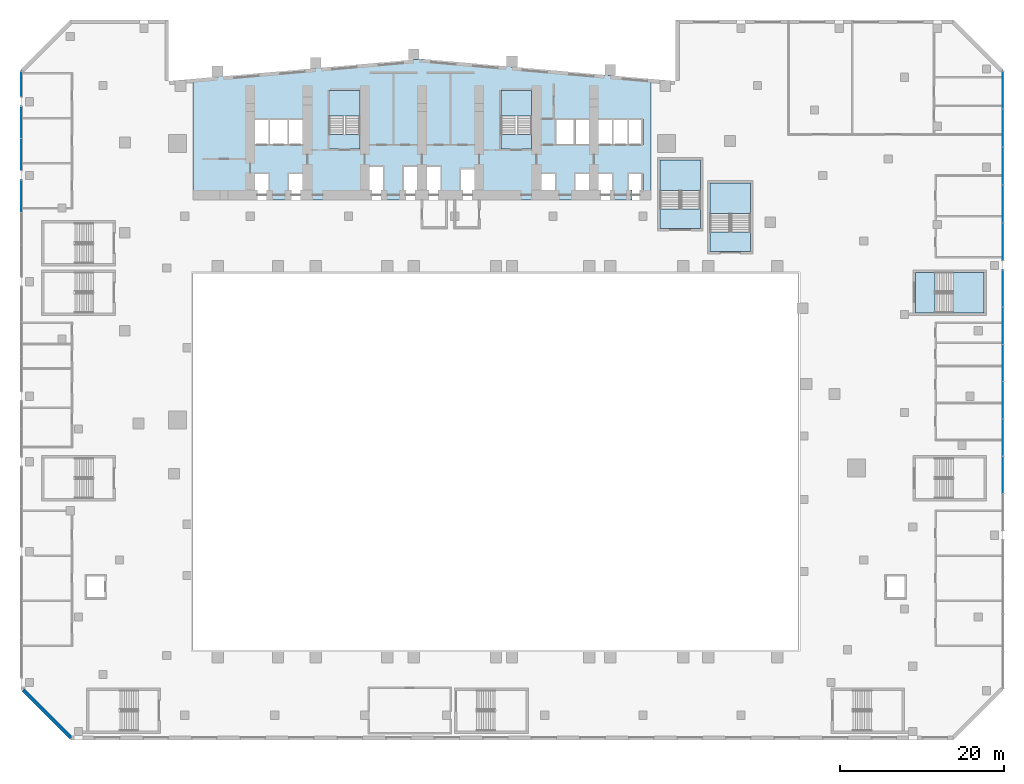
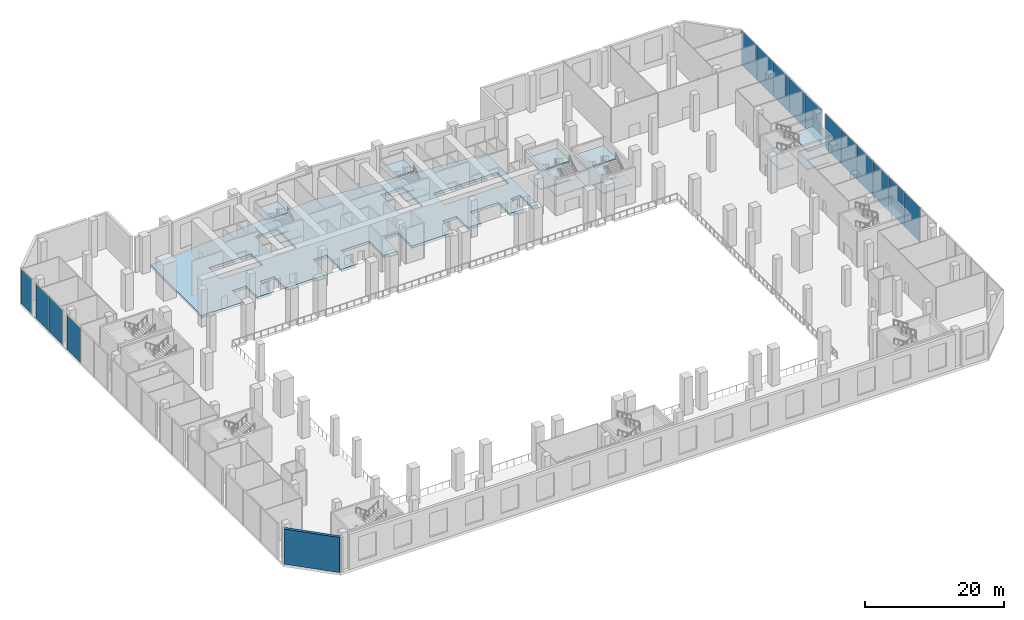
# One storey, part 9 of 30: 16 slabs, 15 plates, 1 wall, 10 elements without a shape of their own.
"""IFC4 building model written with IfcOpenShell, lengths in metres."""

from ifc_helpers import new_model, si_unit, direction, frame, frame_2d, origin, origin_2d, place, context, subcontext, project, spatial, polyline, rectangle, outline, extrude, material, layer, layer_set, type_object, element, aggregate, save


model = new_model("IFC4")

# Units and contexts
model_context = context("Model", 3, precision=1e-05, world=origin(), true_north=direction((0.0, 1.0)))
body_context = subcontext(model_context, "Body", "Model", "MODEL_VIEW")
ifc_project = project(units=[si_unit("LENGTHUNIT", "METRE"), si_unit("AREAUNIT", "SQUARE_METRE"), si_unit("VOLUMEUNIT", "CUBIC_METRE"), si_unit("PLANEANGLEUNIT", "RADIAN"), si_unit("MASSUNIT", "GRAM", prefix="KILO")], contexts=[model_context])

# Site, building, storey
site_placement = place(None, origin())
site = spatial("IfcSite", under=ifc_project, at=site_placement, CompositionType="ELEMENT")
building_placement = place(site_placement, origin())
building = spatial("IfcBuilding", under=site, at=building_placement, Name="Wharfspan Tower", CompositionType="ELEMENT")
storey_placement = place(building_placement, frame((0.0, 0.0, 15.0)))
storey = spatial("IfcBuildingStorey", under=building, at=storey_placement, Name="L02", CompositionType="ELEMENT", Elevation=15.0)

# Curtain wall, plates
ifc_material_1 = material(Name="Aluminium 6063-T6", Category="aluminium")
curtain_wall_type = type_object("IfcCurtainWallType", Name="CURTAIN WALL ARENA STICK WALL", PredefinedType="NOTDEFINED", material=ifc_material_1)
curtain_wall_1_placement = place(storey_placement, origin())
curtain_wall_1 = element("IfcCurtainWall", 1, at=curtain_wall_1_placement, inside=storey, type_object=curtain_wall_type, Name="Concourse stick wall PF3.2", PredefinedType="NOTDEFINED")
ifc_material_2 = material(Name="Glass clear laminated double glazing", Category="glass")
ifc_layer_1 = layer(ifc_material_2, 0.040039)
ifc_layer_set_1 = layer_set([ifc_layer_1], Name="Glass clear laminated double glazing")
plate_type = type_object("IfcPlateType", Name="GLASS PANEL ARENA STICK WALL 40", PredefinedType="CURTAIN_PANEL", material=ifc_layer_set_1)
plate_1_placement = place(storey_placement, frame((108.0, 0.385742, 0.0), z_axis=(0.0, 0.0, 1.0), x_axis=(0.0, 1.0, 0.0)))
plate_1 = element("IfcPlate", 2, at=plate_1_placement, type_object=plate_type, Name="Concourse stick wall PF3.2 panel 2", PredefinedType="CURTAIN_PANEL", context=body_context, shape_type="SweptSolid", body=[
    extrude(rectangle(XDim=4.487061, YDim=0.040039, at=origin_2d()), origin(), (0.0, 0.0, 1.0), 6.110107),
])
plate_2_placement = place(storey_placement, frame((108.0, 4.942871, 0.0), z_axis=(0.0, 0.0, 1.0), x_axis=(0.0, 1.0, 0.0)))
plate_2 = element("IfcPlate", 3, at=plate_2_placement, type_object=plate_type, Name="Concourse stick wall PF3.2 panel 3", PredefinedType="CURTAIN_PANEL", context=body_context, shape_type="SweptSolid", body=[
    extrude(rectangle(XDim=4.487061, YDim=0.040039, at=origin_2d()), origin(), (0.0, 0.0, 1.0), 6.110107),
])
plate_3_placement = place(storey_placement, frame((108.0, 9.5, 0.0), z_axis=(0.0, 0.0, 1.0), x_axis=(0.0, 1.0, 0.0)))
plate_3 = element("IfcPlate", 4, at=plate_3_placement, type_object=plate_type, Name="Concourse stick wall PF3.2 panel 4", PredefinedType="CURTAIN_PANEL", context=body_context, shape_type="SweptSolid", body=[
    extrude(rectangle(XDim=4.487061, YDim=0.040039, at=origin_2d()), origin(), (0.0, 0.0, 1.0), 6.110107),
])
plate_4_placement = place(storey_placement, frame((108.0, 14.057129, 0.0), z_axis=(0.0, 0.0, 1.0), x_axis=(0.0, 1.0, 0.0)))
plate_4 = element("IfcPlate", 5, at=plate_4_placement, type_object=plate_type, Name="Concourse stick wall PF3.2 panel 5", PredefinedType="CURTAIN_PANEL", context=body_context, shape_type="SweptSolid", body=[
    extrude(rectangle(XDim=4.487061, YDim=0.040039, at=origin_2d()), origin(), (0.0, 0.0, 1.0), 6.110107),
])
plate_5_placement = place(storey_placement, frame((108.0, 18.614258, 0.0), z_axis=(0.0, 0.0, 1.0), x_axis=(0.0, 1.0, 0.0)))
plate_5 = element("IfcPlate", 6, at=plate_5_placement, type_object=plate_type, Name="Concourse stick wall PF3.2 panel 6", PredefinedType="CURTAIN_PANEL", context=body_context, shape_type="SweptSolid", body=[
    extrude(rectangle(XDim=4.487061, YDim=0.040039, at=origin_2d()), origin(), (0.0, 0.0, 1.0), 6.110107),
])
plate_6_placement = place(storey_placement, frame((108.0, 23.153809, 0.0), z_axis=(0.0, 0.0, 1.0), x_axis=(0.0, 1.0, 0.0)))
plate_6 = element("IfcPlate", 7, at=plate_6_placement, type_object=plate_type, Name="Concourse stick wall PF3.2 panel 7", PredefinedType="CURTAIN_PANEL", context=body_context, shape_type="SweptSolid", body=[
    extrude(rectangle(XDim=4.452148, YDim=0.040039, at=origin_2d()), origin(), (0.0, 0.0, 1.0), 6.110107),
])
aggregate(curtain_wall_1, [plate_1, plate_2, plate_3, plate_4, plate_5, plate_6])

curtain_wall_2_placement = place(storey_placement, origin())
curtain_wall_2 = element("IfcCurtainWall", 8, at=curtain_wall_2_placement, inside=storey, type_object=curtain_wall_type, Name="Concourse stick wall PF3.3", PredefinedType="NOTDEFINED")
plate_7_placement = place(storey_placement, frame((108.0, 28.887451, 0.0), z_axis=(0.0, 0.0, 1.0), x_axis=(0.0, 1.0, 0.0)))
plate_7 = element("IfcPlate", 9, at=plate_7_placement, type_object=plate_type, Name="Concourse stick wall PF3.3 panel 1", PredefinedType="CURTAIN_PANEL", context=body_context, shape_type="SweptSolid", body=[
    extrude(rectangle(XDim=4.534912, YDim=0.040039, at=origin_2d()), origin(), (0.0, 0.0, 1.0), 6.110107),
])
plate_8_placement = place(storey_placement, frame((108.0, 33.51001, 0.0), z_axis=(0.0, 0.0, 1.0), x_axis=(0.0, 1.0, 0.0)))
plate_8 = element("IfcPlate", 10, at=plate_8_placement, type_object=plate_type, Name="Concourse stick wall PF3.3 panel 2", PredefinedType="CURTAIN_PANEL", context=body_context, shape_type="SweptSolid", body=[
    extrude(rectangle(XDim=4.570068, YDim=0.040039, at=origin_2d()), origin(), (0.0, 0.0, 1.0), 6.110107),
])
plate_9_placement = place(storey_placement, frame((108.0, 38.149902, 0.0), z_axis=(0.0, 0.0, 1.0), x_axis=(0.0, 1.0, 0.0)))
plate_9 = element("IfcPlate", 11, at=plate_9_placement, type_object=plate_type, Name="Concourse stick wall PF3.3 panel 3", PredefinedType="CURTAIN_PANEL", context=body_context, shape_type="SweptSolid", body=[
    extrude(rectangle(XDim=4.570068, YDim=0.040039, at=origin_2d()), origin(), (0.0, 0.0, 1.0), 6.110107),
])
plate_10_placement = place(storey_placement, frame((108.0, 42.790039, 0.0), z_axis=(0.0, 0.0, 1.0), x_axis=(0.0, 1.0, 0.0)))
plate_10 = element("IfcPlate", 12, at=plate_10_placement, type_object=plate_type, Name="Concourse stick wall PF3.3 panel 4", PredefinedType="CURTAIN_PANEL", context=body_context, shape_type="SweptSolid", body=[
    extrude(rectangle(XDim=4.570068, YDim=0.040039, at=origin_2d()), origin(), (0.0, 0.0, 1.0), 6.110107),
])
plate_11_placement = place(storey_placement, frame((108.0, 47.412598, 0.0), z_axis=(0.0, 0.0, 1.0), x_axis=(0.0, 1.0, 0.0)))
plate_11 = element("IfcPlate", 13, at=plate_11_placement, type_object=plate_type, Name="Concourse stick wall PF3.3 panel 5", PredefinedType="CURTAIN_PANEL", context=body_context, shape_type="SweptSolid", body=[
    extrude(rectangle(XDim=4.534912, YDim=0.040039, at=origin_2d()), origin(), (0.0, 0.0, 1.0), 6.110107),
])
aggregate(curtain_wall_2, [plate_7, plate_8, plate_9, plate_10, plate_11])

# Curtain wall, plate
curtain_wall_3_placement = place(storey_placement, origin())
curtain_wall_3 = element("IfcCurtainWall", 14, at=curtain_wall_3_placement, inside=storey, type_object=curtain_wall_type, Name="Concourse stick wall PF12.1", PredefinedType="NOTDEFINED")
plate_12_placement = place(storey_placement, frame((-12.0, 48.149902, 0.0), z_axis=(0.0, 0.0, 1.0), x_axis=(0.0, -1.0, 0.0)))
plate_12 = element("IfcPlate", 15, at=plate_12_placement, type_object=plate_type, Name="Concourse stick wall PF12.1 panel 1", PredefinedType="CURTAIN_PANEL", context=body_context, shape_type="SweptSolid", body=[
    extrude(rectangle(XDim=3.060059, YDim=0.040039, at=origin_2d()), origin(), (0.0, 0.0, 1.0), 6.110107),
])
aggregate(curtain_wall_3, [plate_12])

# Curtain wall, plates
curtain_wall_4_placement = place(storey_placement, origin())
curtain_wall_4 = element("IfcCurtainWall", 16, at=curtain_wall_4_placement, inside=storey, type_object=curtain_wall_type, Name="Concourse stick wall PF12.2", PredefinedType="NOTDEFINED")
plate_13_placement = place(storey_placement, frame((-12.0, 43.45752, 0.0), z_axis=(0.0, 0.0, 1.0), x_axis=(0.0, -1.0, 0.0)))
plate_13 = element("IfcPlate", 17, at=plate_13_placement, type_object=plate_type, Name="Concourse stick wall PF12.2 panel 1", PredefinedType="CURTAIN_PANEL", context=body_context, shape_type="SweptSolid", body=[
    extrude(rectangle(XDim=3.844971, YDim=0.040039, at=origin_2d()), origin(), (0.0, 0.0, 1.0), 6.110107),
])
plate_14_placement = place(storey_placement, frame((-12.0, 39.54248, 0.0), z_axis=(0.0, 0.0, 1.0), x_axis=(0.0, -1.0, 0.0)))
plate_14 = element("IfcPlate", 18, at=plate_14_placement, type_object=plate_type, Name="Concourse stick wall PF12.2 panel 2", PredefinedType="CURTAIN_PANEL", context=body_context, shape_type="SweptSolid", body=[
    extrude(rectangle(XDim=3.844971, YDim=0.040039, at=origin_2d()), origin(), (0.0, 0.0, 1.0), 6.110107),
])
aggregate(curtain_wall_4, [plate_13, plate_14])

# Curtain wall, plate
curtain_wall_5_placement = place(storey_placement, origin())
curtain_wall_5 = element("IfcCurtainWall", 19, at=curtain_wall_5_placement, inside=storey, type_object=curtain_wall_type, Name="Concourse stick wall PF12.3", PredefinedType="NOTDEFINED")
plate_15_placement = place(storey_placement, frame((-12.0, 34.449219, 0.0), z_axis=(0.0, 0.0, 1.0), x_axis=(0.0, -1.0, 0.0)))
plate_15 = element("IfcPlate", 20, at=plate_15_placement, type_object=plate_type, Name="Concourse stick wall PF12.3 panel 1", PredefinedType="CURTAIN_PANEL", context=body_context, shape_type="SweptSolid", body=[
    extrude(rectangle(XDim=3.861572, YDim=0.040039, at=origin_2d()), origin(), (0.0, 0.0, 1.0), 6.110107),
])
aggregate(curtain_wall_5, [plate_15])

# Slab
ifc_material_3 = material(Name="Concrete C35/45", Category="concrete")
ifc_layer_2 = layer(ifc_material_3, 0.449951)
ifc_layer_set_2 = layer_set([ifc_layer_2], Name="Concrete C35/45")
slab_type_1 = type_object("IfcSlabType", Name="Podium deck 450", PredefinedType="FLOOR", material=ifc_layer_set_2)
slab_1_placement = place(storey_placement, frame((0.0, 0.0, -0.450195)))
element("IfcSlab", 21, at=slab_1_placement, inside=storey, type_object=slab_type_1, Name="Core floor L02", PredefinedType="FLOOR", context=body_context, shape_type="SweptSolid", body=[
    extrude(outline(polyline([(65.0, 48.787354), (65.0, 34.0), (64.01001, 34.0), (64.01001, 37.26001), (62.656738, 37.26001), (62.656738, 37.159912), (62.290039, 37.159912), (62.290039, 35.189941), (62.656738, 35.189941), (62.656738, 34.0), (60.343262, 34.0), (60.343262, 37.26001), (55.656738, 37.26001), (55.656738, 34.0), (53.343262, 34.0), (53.343262, 37.26001), (50.98999, 37.26001), (50.98999, 34.0), (44.01001, 34.0), (44.01001, 37.860107), (41.656738, 37.860107), (41.656738, 34.0), (39.343262, 34.0), (39.343262, 38.159912), (34.656738, 38.159912), (34.656738, 34.0), (32.343262, 34.0), (32.343262, 38.159912), (29.98999, 38.159912), (29.98999, 34.0), (23.01001, 34.0), (23.01001, 37.26001), (20.656738, 37.26001), (20.656738, 34.0), (18.343262, 34.0), (18.343262, 37.26001), (15.98999, 37.26001), (15.98999, 34.0), (9.0, 34.0), (9.0, 48.787354), (37.0, 51.237061), (65.0, 48.787354)]), holes=[polyline([(53.323242, 43.909912), (53.323242, 40.689941), (64.01001, 40.689941), (64.01001, 43.909912), (53.323242, 43.909912)]), polyline([(50.409912, 41.98999), (50.409912, 47.409912), (46.639893, 47.409912), (46.639893, 41.98999), (50.409912, 41.98999)]), polyline([(29.409912, 41.98999), (29.409912, 47.409912), (25.639893, 47.409912), (25.639893, 41.98999), (29.409912, 41.98999)]), polyline([(20.676758, 40.689941), (23.01001, 40.689941), (23.01001, 43.909912), (20.676758, 43.909912), (20.656738, 43.909912), (15.98999, 43.909912), (15.98999, 40.689941), (20.656738, 40.689941), (20.676758, 40.689941)])]), origin(), (0.0, 0.0, 1.0), 0.450195),
])

# Stair, slabs
ifc_material_4 = material(Name="Concrete C40/50", Category="concrete")
stair_type_1 = type_object("IfcStairType", Name="Half-turn stair 2400 wide 36 risers 181 mm", PredefinedType="HALF_TURN_STAIR", material=ifc_material_4)
stair_1_placement = place(storey_placement, origin())
stair_1 = element("IfcStair", 22, at=stair_1_placement, inside=storey, type_object=stair_type_1, Name="L02 stair AS4", PredefinedType="HALF_TURN_STAIR")
ifc_layer_3 = layer(ifc_material_4, 0.199951)
ifc_layer_set_3 = layer_set([ifc_layer_3], Name="Concrete C40/50")
slab_type_2 = type_object("IfcSlabType", Name="Podium stair landing 200", PredefinedType="LANDING", material=ifc_layer_set_3)
slab_2_placement = place(storey_placement, frame((0.0, 0.0, 1.424805)))
slab_2 = element("IfcSlab", 23, at=slab_2_placement, type_object=slab_type_2, Name="AS4 landing 1", PredefinedType="LANDING", context=body_context, shape_type="SweptSolid", body=[
    extrude(outline(polyline([(101.939941, 20.199951), (105.699951, 20.199951), (105.699951, 25.149902), (101.939941, 25.149902), (101.939941, 20.199951)])), origin(), (0.0, 0.0, 1.0), 0.200195),
])
slab_3_placement = place(storey_placement, frame((0.0, 0.0, 3.049805)))
slab_3 = element("IfcSlab", 24, at=slab_3_placement, type_object=slab_type_2, Name="AS4 landing 2", PredefinedType="LANDING", context=body_context, shape_type="SweptSolid", body=[
    extrude(outline(polyline([(97.300049, 20.199951), (99.699951, 20.199951), (99.699951, 25.149902), (97.300049, 25.149902), (97.300049, 20.199951)])), origin(), (0.0, 0.0, 1.0), 0.200195),
])
slab_4_placement = place(storey_placement, frame((0.0, 0.0, 4.674805)))
slab_4 = element("IfcSlab", 25, at=slab_4_placement, type_object=slab_type_2, Name="AS4 landing 3", PredefinedType="LANDING", context=body_context, shape_type="SweptSolid", body=[
    extrude(outline(polyline([(101.939941, 20.199951), (105.699951, 20.199951), (105.699951, 25.149902), (101.939941, 25.149902), (101.939941, 20.199951)])), origin(), (0.0, 0.0, 1.0), 0.200195),
])
aggregate(stair_1, [slab_2, slab_3, slab_4])

stair_2_placement = place(storey_placement, origin())
stair_2 = element("IfcStair", 26, at=stair_2_placement, inside=storey, type_object=stair_type_1, Name="L02 stair PS4", PredefinedType="HALF_TURN_STAIR")
slab_5_placement = place(storey_placement, frame((0.0, 0.0, 1.424805)))
slab_5 = element("IfcSlab", 27, at=slab_5_placement, type_object=slab_type_2, Name="PS4 landing 1", PredefinedType="LANDING", context=body_context, shape_type="SweptSolid", body=[
    extrude(outline(polyline([(71.050049, 35.139893), (71.050049, 38.899902), (66.100098, 38.899902), (66.100098, 35.139893), (71.050049, 35.139893)])), origin(), (0.0, 0.0, 1.0), 0.200195),
])
slab_6_placement = place(storey_placement, frame((0.0, 0.0, 3.049805)))
slab_6 = element("IfcSlab", 28, at=slab_6_placement, type_object=slab_type_2, Name="PS4 landing 2", PredefinedType="LANDING", context=body_context, shape_type="SweptSolid", body=[
    extrude(outline(polyline([(71.050049, 30.5), (71.050049, 32.899902), (66.100098, 32.899902), (66.100098, 30.5), (71.050049, 30.5)])), origin(), (0.0, 0.0, 1.0), 0.200195),
])
slab_7_placement = place(storey_placement, frame((0.0, 0.0, 4.674805)))
slab_7 = element("IfcSlab", 29, at=slab_7_placement, type_object=slab_type_2, Name="PS4 landing 3", PredefinedType="LANDING", context=body_context, shape_type="SweptSolid", body=[
    extrude(outline(polyline([(71.050049, 35.139893), (71.050049, 38.899902), (66.100098, 38.899902), (66.100098, 35.139893), (71.050049, 35.139893)])), origin(), (0.0, 0.0, 1.0), 0.200195),
])
aggregate(stair_2, [slab_5, slab_6, slab_7])

stair_3_placement = place(storey_placement, origin())
stair_3 = element("IfcStair", 30, at=stair_3_placement, inside=storey, type_object=stair_type_1, Name="L02 stair PS5", PredefinedType="HALF_TURN_STAIR")
slab_8_placement = place(storey_placement, frame((0.0, 0.0, 1.424805)))
slab_8 = element("IfcSlab", 31, at=slab_8_placement, type_object=slab_type_2, Name="PS5 landing 1", PredefinedType="LANDING", context=body_context, shape_type="SweptSolid", body=[
    extrude(outline(polyline([(77.16748, 32.340088), (77.16748, 36.100098), (72.217529, 36.100098), (72.217529, 32.340088), (77.16748, 32.340088)])), origin(), (0.0, 0.0, 1.0), 0.200195),
])
slab_9_placement = place(storey_placement, frame((0.0, 0.0, 3.049805)))
slab_9 = element("IfcSlab", 32, at=slab_9_placement, type_object=slab_type_2, Name="PS5 landing 2", PredefinedType="LANDING", context=body_context, shape_type="SweptSolid", body=[
    extrude(outline(polyline([(77.16748, 27.699951), (77.16748, 30.100098), (72.217529, 30.100098), (72.217529, 27.699951), (77.16748, 27.699951)])), origin(), (0.0, 0.0, 1.0), 0.200195),
])
slab_10_placement = place(storey_placement, frame((0.0, 0.0, 4.674805)))
slab_10 = element("IfcSlab", 33, at=slab_10_placement, type_object=slab_type_2, Name="PS5 landing 3", PredefinedType="LANDING", context=body_context, shape_type="SweptSolid", body=[
    extrude(outline(polyline([(77.16748, 32.340088), (77.16748, 36.100098), (72.217529, 36.100098), (72.217529, 32.340088), (77.16748, 32.340088)])), origin(), (0.0, 0.0, 1.0), 0.200195),
])
aggregate(stair_3, [slab_8, slab_9, slab_10])

stair_type_2 = type_object("IfcStairType", Name="Half-turn stair 36 risers 181 mm", PredefinedType="HALF_TURN_STAIR", material=ifc_material_4)
stair_4_placement = place(storey_placement, origin())
stair_4 = element("IfcStair", 34, at=stair_4_placement, inside=storey, type_object=stair_type_2, Name="L02 stair ST1", PredefinedType="HALF_TURN_STAIR")
ifc_layer_4 = layer(ifc_material_4, 0.199951)
ifc_layer_set_4 = layer_set([ifc_layer_4], Name="Concrete C40/50")
slab_type_3 = type_object("IfcSlabType", Name="Stair landing 200", PredefinedType="LANDING", material=ifc_layer_set_4)
slab_11_placement = place(storey_placement, frame((0.0, 0.0, 1.424805)))
slab_11 = element("IfcSlab", 35, at=slab_11_placement, type_object=slab_type_3, Name="ST1 landing 1", PredefinedType="LANDING", context=body_context, shape_type="SweptSolid", body=[
    extrude(outline(polyline([(29.399902, 44.23999), (29.399902, 47.399902), (25.649902, 47.399902), (25.649902, 44.23999), (29.399902, 44.23999)])), origin(), (0.0, 0.0, 1.0), 0.200195),
])
slab_12_placement = place(storey_placement, frame((0.0, 0.0, 3.049805)))
slab_12 = element("IfcSlab", 36, at=slab_12_placement, type_object=slab_type_3, Name="ST1 landing 2", PredefinedType="LANDING", context=body_context, shape_type="SweptSolid", body=[
    extrude(outline(polyline([(29.399902, 40.199951), (29.399902, 42.0), (25.649902, 42.0), (25.649902, 40.199951), (29.399902, 40.199951)])), origin(), (0.0, 0.0, 1.0), 0.200195),
])
slab_13_placement = place(storey_placement, frame((0.0, 0.0, 4.674805)))
slab_13 = element("IfcSlab", 37, at=slab_13_placement, type_object=slab_type_3, Name="ST1 landing 3", PredefinedType="LANDING", context=body_context, shape_type="SweptSolid", body=[
    extrude(outline(polyline([(29.399902, 44.23999), (29.399902, 47.399902), (25.649902, 47.399902), (25.649902, 44.23999), (29.399902, 44.23999)])), origin(), (0.0, 0.0, 1.0), 0.200195),
])
aggregate(stair_4, [slab_11, slab_12, slab_13])

stair_5_placement = place(storey_placement, origin())
stair_5 = element("IfcStair", 38, at=stair_5_placement, inside=storey, type_object=stair_type_2, Name="L02 stair ST2", PredefinedType="HALF_TURN_STAIR")
slab_14_placement = place(storey_placement, frame((0.0, 0.0, 1.424805)))
slab_14 = element("IfcSlab", 39, at=slab_14_placement, type_object=slab_type_3, Name="ST2 landing 1", PredefinedType="LANDING", context=body_context, shape_type="SweptSolid", body=[
    extrude(outline(polyline([(50.399902, 44.23999), (50.399902, 47.399902), (46.649902, 47.399902), (46.649902, 44.23999), (50.399902, 44.23999)])), origin(), (0.0, 0.0, 1.0), 0.200195),
])
slab_15_placement = place(storey_placement, frame((0.0, 0.0, 3.049805)))
slab_15 = element("IfcSlab", 40, at=slab_15_placement, type_object=slab_type_3, Name="ST2 landing 2", PredefinedType="LANDING", context=body_context, shape_type="SweptSolid", body=[
    extrude(outline(polyline([(50.399902, 40.199951), (50.399902, 42.0), (46.649902, 42.0), (46.649902, 40.199951), (50.399902, 40.199951)])), origin(), (0.0, 0.0, 1.0), 0.200195),
])
slab_16_placement = place(storey_placement, frame((0.0, 0.0, 4.674805)))
slab_16 = element("IfcSlab", 41, at=slab_16_placement, type_object=slab_type_3, Name="ST2 landing 3", PredefinedType="LANDING", context=body_context, shape_type="SweptSolid", body=[
    extrude(outline(polyline([(50.399902, 44.23999), (50.399902, 47.399902), (46.649902, 47.399902), (46.649902, 44.23999), (50.399902, 44.23999)])), origin(), (0.0, 0.0, 1.0), 0.200195),
])
aggregate(stair_5, [slab_14, slab_15, slab_16])

# Wall
ifc_layer_5 = layer(ifc_material_4, 0.449951)
ifc_layer_set_5 = layer_set([ifc_layer_5], Name="Concrete C40/50")
wall_type = type_object("IfcWallType", Name="WALL BOARD-MARKED CONCRETE 450", PredefinedType="SOLIDWALL", material=ifc_layer_set_5)
wall_placement = place(storey_placement, frame((-11.770264, -25.911621, 0.0), z_axis=(0.0, 0.0, 1.0), x_axis=(0.707107, -0.707107, 0.0)))
element("IfcWall", 42, at=wall_placement, inside=storey, type_object=wall_type, Name="Podium wall PF13", PredefinedType="SOLIDWALL", context=body_context, shape_type="SweptSolid", body=[
    extrude(rectangle(XDim=8.2854, YDim=0.449951, at=frame_2d((4.142578, 0.0))), origin(), (0.0, 0.0, 1.0), 6.199951),
])

save(model, "model.ifc")
